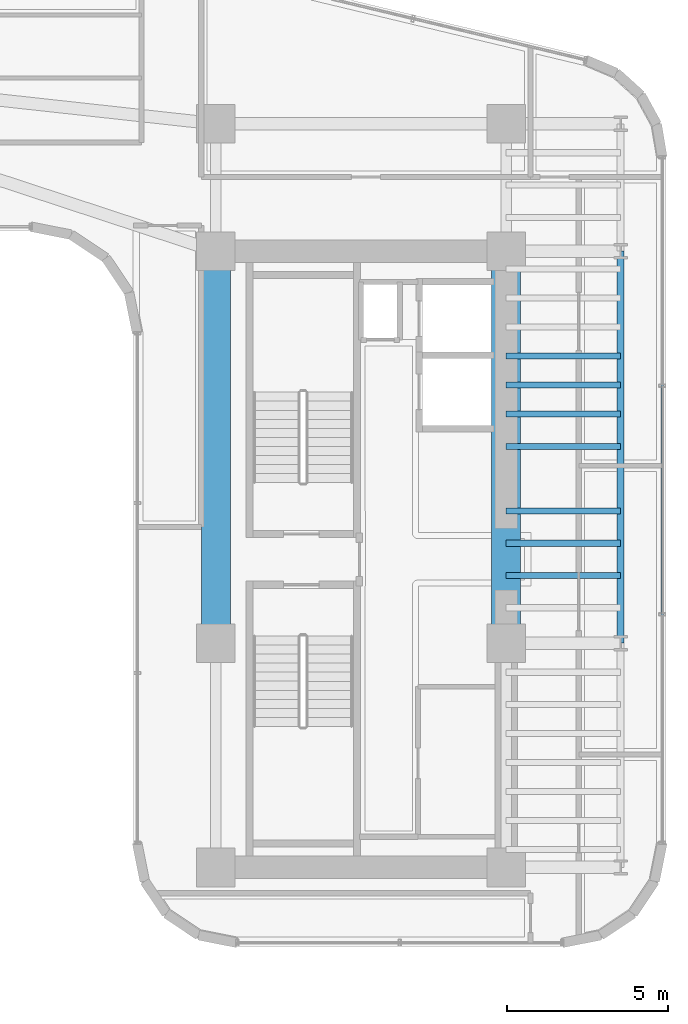
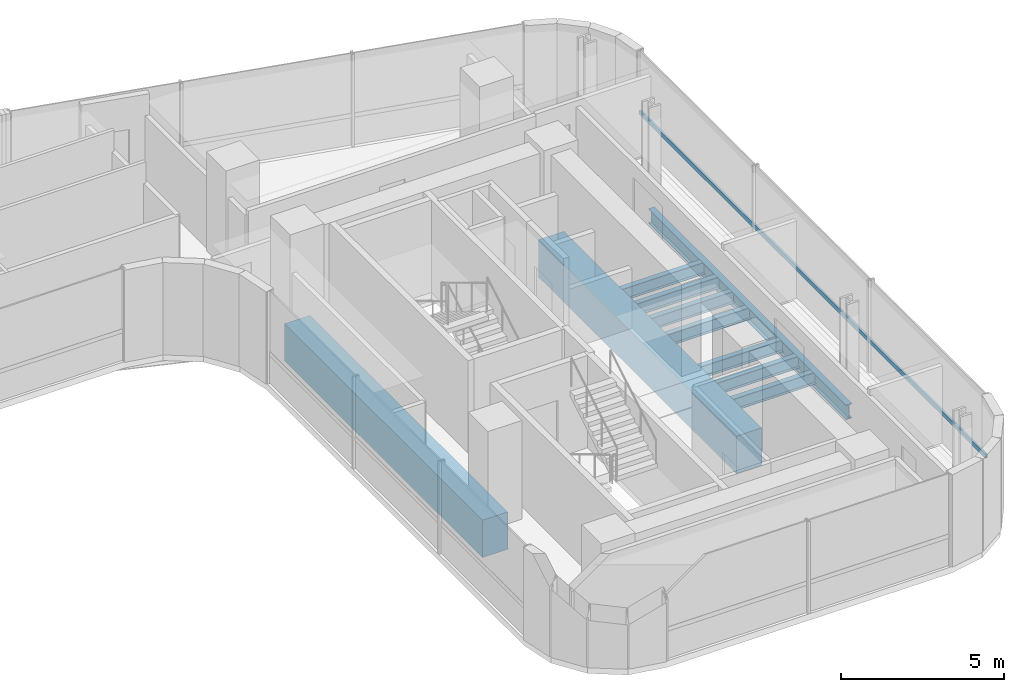
# One storey, part 18 of 37: 10 beams, 1 member, 1 element without a shape of its own.
"""IFC4 building model written with IfcOpenShell, lengths in metres."""

import ifcopenshell
import ifcopenshell.guid

model = None  # the IFC model being written
_history = None  # IfcOwnerHistory: only IFC2X3 demands one
_inside = {}  # id of a spatial element -> (the spatial element, [elements in it])
_under = {}  # id of a project, library or spatial element -> (it, [spatial elements below it])
_declared = {}  # id of a project -> (the project, [libraries it declares])
_typed = {}  # id of a type object -> (the type object, [elements of that type])
_made_of = {}  # id of a material, layer set ... -> (it, [elements and type objects made of it])


def new_model(schema):
    """Start an empty IFC model of exactly this schema.

    Asked for "IFC4X3", IfcOpenShell would pick the latest addendum, in which some entities
    have other attributes; the version numbers below select the first issue.
    IFC2X3 requires an IfcOwnerHistory on every rooted entity: one is made here for all.
    """
    global model, _history
    if schema == "IFC4X3":
        model = ifcopenshell.file(schema_version=(4, 3, 0, 0))
    else:
        model = ifcopenshell.file(schema=schema)
    _inside.clear()
    _under.clear()
    _declared.clear()
    _typed.clear()
    _made_of.clear()
    _history = None
    if model.schema == "IFC2X3":
        org = make("IfcOrganization", Name="unknown")
        user = make(
            "IfcPersonAndOrganization",
            ThePerson=make("IfcPerson", FamilyName="unknown"),
            TheOrganization=org,
        )
        app = make(
            "IfcApplication",
            ApplicationDeveloper=org,
            Version="unknown",
            ApplicationFullName="unknown",
            ApplicationIdentifier="unknown",
        )
        _history = make(
            "IfcOwnerHistory",
            OwningUser=user,
            OwningApplication=app,
            ChangeAction="ADDED",
            CreationDate=0,
        )
    return model


def make(cls, **values):
    """One entity of the class cls with the attributes given. An attribute that is None is left unset."""
    return model.create_entity(
        cls, **{name: value for name, value in values.items() if value is not None}
    )


def rooted(cls, **values):
    """An entity with a GlobalId (a new one), such as an element, a storey or a relation."""
    return make(cls, GlobalId=ifcopenshell.guid.new(), OwnerHistory=_history, **values)


def si_unit(unit_type, name, prefix=None):
    """IfcSIUnit, for example si_unit("LENGTHUNIT", "METRE", prefix="MILLI")."""
    return make("IfcSIUnit", UnitType=unit_type, Prefix=prefix, Name=name)


def assignment(units):
    """IfcUnitAssignment: the units of a project."""
    return None if units is None else make("IfcUnitAssignment", Units=units)


def point(xyz):
    """IfcCartesianPoint."""
    return None if xyz is None else make("IfcCartesianPoint", Coordinates=xyz)


def direction(xyz):
    """IfcDirection."""
    return None if xyz is None else make("IfcDirection", DirectionRatios=xyz)


def frame(location, z_axis=None, x_axis=None):
    """IfcAxis2Placement3D, a coordinate frame: its origin and axes. An axis left out is left unset."""
    return make(
        "IfcAxis2Placement3D",
        Location=point(location),
        Axis=direction(z_axis),
        RefDirection=direction(x_axis),
    )


def frame_2d(location, x_axis=None):
    """IfcAxis2Placement2D, a coordinate frame in the plane: its origin and x axis."""
    return make(
        "IfcAxis2Placement2D", Location=point(location), RefDirection=direction(x_axis)
    )


def origin():
    """The frame at (0, 0, 0) with its axes left unset."""
    return frame((0.0, 0.0, 0.0))


def origin_2d():
    """The frame at (0, 0) in the plane with its x axis left unset."""
    return frame_2d((0.0, 0.0))


def place(relative_to, where):
    """IfcLocalPlacement: puts the frame where relative to a parent placement (None: the world)."""
    return make(
        "IfcLocalPlacement", PlacementRelTo=relative_to, RelativePlacement=where
    )


def context(
    kind, dimensions, precision=None, world=None, true_north=None, identifier=None
):
    """IfcGeometricRepresentationContext, for example the 3D "Model" context."""
    return make(
        "IfcGeometricRepresentationContext",
        ContextIdentifier=identifier,
        ContextType=kind,
        CoordinateSpaceDimension=dimensions,
        Precision=precision,
        WorldCoordinateSystem=world,
        TrueNorth=true_north,
    )


def subcontext(parent, identifier, kind, view, scale=None):
    """IfcGeometricRepresentationSubContext, for example "Body" below "Model"."""
    return make(
        "IfcGeometricRepresentationSubContext",
        ContextIdentifier=identifier,
        ContextType=kind,
        ParentContext=parent,
        TargetScale=scale,
        TargetView=view,
    )


def project(units=None, contexts=None):
    """IfcProject with its units and contexts."""
    return rooted(
        "IfcProject",
        Name="project",
        RepresentationContexts=contexts,
        UnitsInContext=assignment(units),
    )


def spatial(cls, under=None, at=None, **own):
    """A site, building, storey or space (cls), placed at a placement, below another one or the project."""
    s = rooted(cls, ObjectPlacement=at, **own)
    if under is not None:
        _under.setdefault(under.id(), (under, []))[1].append(s)
    return s


def profile(cls, at=None, kind="AREA", **sizes):
    """A parametric profile (cls). Its sizes go by their IFC names, for example OverallWidth=200.0."""
    return make(cls, ProfileType=kind, Position=at, **sizes)


def rectangle(**sizes):
    """IfcRectangleProfileDef."""
    return profile("IfcRectangleProfileDef", **sizes)


def hollow_rectangle(**sizes):
    """IfcRectangleHollowProfileDef."""
    return profile("IfcRectangleHollowProfileDef", **sizes)


def i_section(**sizes):
    """IfcIShapeProfileDef."""
    return profile("IfcIShapeProfileDef", **sizes)


def extrude(swept, where, along, depth):
    """IfcExtrudedAreaSolid: the profile swept, set in the frame where, extruded along a direction by depth."""
    return make(
        "IfcExtrudedAreaSolid",
        SweptArea=swept,
        Position=where,
        ExtrudedDirection=direction(along),
        Depth=depth,
    )


def shape(context_of_items, identifier, shape_type, items):
    """IfcShapeRepresentation: the items that make up one representation, for example the "Body"."""
    return make(
        "IfcShapeRepresentation",
        ContextOfItems=context_of_items,
        RepresentationIdentifier=identifier,
        RepresentationType=shape_type,
        Items=items,
    )


def source(mapping_origin, context_of_items, identifier, shape_type, items):
    """IfcRepresentationMap: a shape defined once, which mapped items show again and again."""
    return make(
        "IfcRepresentationMap",
        MappingOrigin=mapping_origin,
        MappedRepresentation=shape(context_of_items, identifier, shape_type, items),
    )


def transform(
    local_origin,
    x_axis=None,
    y_axis=None,
    z_axis=None,
    scale=None,
    scale2=None,
    scale3=None,
    uniform=True,
):
    """IfcCartesianTransformationOperator3D, or its non-uniform kind. x_axis, y_axis, z_axis: its Axis1, 2, 3."""
    if uniform:
        return make(
            "IfcCartesianTransformationOperator3D",
            Axis1=direction(x_axis),
            Axis2=direction(y_axis),
            LocalOrigin=point(local_origin),
            Scale=scale,
            Axis3=direction(z_axis),
        )
    return make(
        "IfcCartesianTransformationOperator3DnonUniform",
        Axis1=direction(x_axis),
        Axis2=direction(y_axis),
        LocalOrigin=point(local_origin),
        Scale=scale,
        Axis3=direction(z_axis),
        Scale2=scale2,
        Scale3=scale3,
    )


def mapped(mapping_source, mapping_target):
    """IfcMappedItem: shows the shape of a source again, moved by a transform."""
    return make(
        "IfcMappedItem", MappingSource=mapping_source, MappingTarget=mapping_target
    )


def material(Name=None, Category=None):
    """IfcMaterial."""
    return make("IfcMaterial", Name=Name, Category=Category)


def material_profile(
    of_material, cross_section, Name=None, Category=None, Priority=None
):
    """IfcMaterialProfile: a cross section and its material."""
    return make(
        "IfcMaterialProfile",
        Name=Name,
        Material=of_material,
        Profile=cross_section,
        Priority=Priority,
        Category=Category,
    )


def profile_set(profiles, Name=None, composite=None):
    """IfcMaterialProfileSet."""
    return make(
        "IfcMaterialProfileSet",
        Name=Name,
        MaterialProfiles=profiles,
        CompositeProfile=composite,
    )


def made_of(thing, what):
    """Note that an element or type object is made of a material, layer set ...; save() writes the relation."""
    if what is not None:
        _made_of.setdefault(what.id(), (what, []))[1].append(thing)
    return thing


def type_object(cls, material=None, **own):
    """A type object (cls), such as IfcWallType, which elements share."""
    return made_of(rooted(cls, **own), material)


def element(
    cls,
    number,
    at=None,
    inside=None,
    cuts=None,
    type_object=None,
    material=None,
    context=None,
    identifier="Body",
    shape_type=None,
    held_by="IfcProductDefinitionShape",
    body=None,
    shapes=None,
    **own,
):
    """One element of the class cls, such as IfcWall. Its Tag is "e" and its number.

    at: its placement. inside: the storey or other place that contains it. cuts: it is an
    opening in that element (IfcRelVoidsElement). A single representation is given by context,
    identifier, shape_type and body (its items); several are given by shapes. held_by: the class
    of the entity that holds the representations. save() writes the other relations.
    """
    e = rooted(cls, Tag="e%d" % number, ObjectPlacement=at, **own)
    if body is not None:
        shapes = [shape(context, identifier, shape_type, body)]
    if shapes is not None:
        e.Representation = make(held_by, Representations=shapes)
    if inside is not None:
        _inside.setdefault(inside.id(), (inside, []))[1].append(e)
    if cuts is not None:
        rooted(
            "IfcRelVoidsElement", RelatingBuildingElement=cuts, RelatedOpeningElement=e
        )
    if type_object is not None:
        _typed.setdefault(type_object.id(), (type_object, []))[1].append(e)
    return made_of(e, material)


def aggregate(whole, parts):
    """IfcRelAggregates: a whole, such as a stair, and the parts it consists of."""
    return rooted("IfcRelAggregates", RelatingObject=whole, RelatedObjects=parts)


def save(model, path):
    """Write the relations noted so far, then the file.

    IfcRelAggregates (storeys below a building ...), IfcRelContainedInSpatialStructure (elements
    in a storey), IfcRelDefinesByType, IfcRelAssociatesMaterial and IfcRelDeclares: one each for
    every whole, place, type object, material and project.
    """
    for whole, parts in _under.values():
        aggregate(whole, parts)
    for where, things in _inside.values():
        rooted(
            "IfcRelContainedInSpatialStructure",
            RelatedElements=things,
            RelatingStructure=where,
        )
    for kind, things in _typed.values():
        rooted("IfcRelDefinesByType", RelatedObjects=things, RelatingType=kind)
    for what, things in _made_of.values():
        rooted("IfcRelAssociatesMaterial", RelatedObjects=things, RelatingMaterial=what)
    for by, libraries in _declared.values():
        rooted("IfcRelDeclares", RelatingContext=by, RelatedDefinitions=libraries)
    model.write(path)


model = new_model("IFC4")

# Units and contexts
model_context = context("Model", 3, precision=1e-05, world=origin(), true_north=direction((0.0, 1.0)))
body_context = subcontext(model_context, "Body", "Model", "MODEL_VIEW")
ifc_project = project(units=[si_unit("LENGTHUNIT", "METRE"), si_unit("AREAUNIT", "SQUARE_METRE"), si_unit("VOLUMEUNIT", "CUBIC_METRE"), si_unit("PLANEANGLEUNIT", "RADIAN"), si_unit("MASSUNIT", "GRAM", prefix="KILO")], contexts=[model_context])

# Site, building, storey
site_placement = place(None, origin())
site = spatial("IfcSite", under=ifc_project, at=site_placement, CompositionType="ELEMENT")
building_placement = place(site_placement, origin())
building = spatial("IfcBuilding", under=site, at=building_placement, Name="Valdorenza Pilgrim Sanctuary Tower", CompositionType="ELEMENT")
storey_placement = place(building_placement, frame((0.0, 0.0, 127.89990234375)))
storey = spatial("IfcBuildingStorey", under=building, at=storey_placement, Name="L32", CompositionType="ELEMENT", Elevation=127.89990234375)

# Beams
ifc_material_1 = material(Name="Concrete C60/75", Category="concrete")
ifc_material_profile_1 = material_profile(ifc_material_1, rectangle(XDim=0.89990234375, YDim=1.39990234375, at=origin_2d()), Name="RC 1400x900")
ifc_profile_set_1 = profile_set([ifc_material_profile_1], Name="Concrete C60/75")
beam_type_1 = type_object("IfcBeamType", Name="STR-BM-LNT-1400", PredefinedType="LINTEL", material=ifc_profile_set_1)
shared_shape_1 = source(origin(), body_context, "Body", "SweptSolid", [
    extrude(rectangle(XDim=0.89990234375, YDim=1.39990234375, at=origin_2d()), origin(), (0.0, 0.0, 1.0), 12.150146484375),
])
for number, where, z_axis, x_axis, name in (
    (1, (15.85009765625, -2.60009765625, -0.739990234375), (0.0, 1.0, 0.0), (-1.0, 0.0, 0.0), "L32 Core B West Coupling Lintel Girder"),
    (2, (24.85009765625, -2.60009765625, -0.739990234375), (0.0, 1.0, 0.0), (-1.0, 0.0, 0.0), "L32 Core B East Coupling Lintel Girder"),
):
    element("IfcBeam", number, at=place(storey_placement, frame(where, z_axis=z_axis, x_axis=x_axis)), inside=storey, type_object=beam_type_1, Name=name, PredefinedType="LINTEL", context=body_context, shape_type="MappedRepresentation", body=[
        mapped(shared_shape_1, transform((0.0, 0.0, 0.0), x_axis=(1.0, 0.0, 0.0), y_axis=(0.0, 1.0, 0.0), z_axis=(0.0, 0.0, 1.0), scale=1.0)),
    ])
ifc_material_2 = material(Name="Steel ASTM A992 Grade 50", Category="steel")
ifc_material_profile_2 = material_profile(ifc_material_2, i_section(OverallWidth=0.214111328125, OverallDepth=0.549072265625, WebThickness=0.0146484375, FlangeThickness=0.023681640625, at=origin_2d()), Name="W21X93")
ifc_profile_set_2 = profile_set([ifc_material_profile_2], Name="Steel ASTM A992 Grade 50")
beam_type_2 = type_object("IfcBeamType", Name="STR-BM-SPN-W21A", PredefinedType="SPANDREL", material=ifc_profile_set_2)
shared_shape_2 = source(origin(), body_context, "Body", "SweptSolid", [
    extrude(i_section(OverallWidth=0.214111328125, OverallDepth=0.549072265625, WebThickness=0.0146484375, FlangeThickness=0.023681640625, at=origin_2d()), origin(), (0.0, 0.0, 1.0), 12.150146484375),
])
beam_placement = place(storey_placement, frame((28.39990234375, -2.60009765625, -0.514404296875), z_axis=(0.0, 1.0, 0.0), x_axis=(-1.0, 0.0, 0.0)))
element("IfcBeam", 3, at=beam_placement, inside=storey, type_object=beam_type_2, Name="L32 Spandrel Beam WB-E-M0N1", PredefinedType="SPANDREL", context=body_context, shape_type="MappedRepresentation", body=[
    mapped(shared_shape_2, transform((0.0, 0.0, 0.0), x_axis=(1.0, 0.0, 0.0), y_axis=(0.0, 1.0, 0.0), z_axis=(0.0, 0.0, 1.0), scale=1.0)),
])
ifc_material_profile_3 = material_profile(ifc_material_2, i_section(OverallWidth=0.19091796875, OverallDepth=0.45703125, WebThickness=0.009033203125, FlangeThickness=0.014404296875, at=origin_2d()), Name="W18X50")
ifc_profile_set_3 = profile_set([ifc_material_profile_3], Name="Steel ASTM A992 Grade 50")
beam_type_3 = type_object("IfcBeamType", Name="STR-BM-JST-W18B", PredefinedType="JOIST", material=ifc_profile_set_3)
shared_shape_3 = source(origin(), body_context, "Body", "SweptSolid", [
    extrude(i_section(OverallWidth=0.19091796875, OverallDepth=0.45703125, WebThickness=0.009033203125, FlangeThickness=0.014404296875, at=origin_2d()), origin(), (0.0, 0.0, 1.0), 3.5498046875),
])
for number, where, z_axis, x_axis, name in (
    (4, (24.85009765625, -0.5, -0.468505859375), (1.0, 0.0, 0.0), (0.0, 1.0, 0.0), "L32 Composite Floor Joist JST-WB-9"),
    (5, (24.85009765625, 0.5, -0.468505859375), (1.0, 0.0, 0.0), (0.0, 1.0, 0.0), "L32 Composite Floor Joist JST-WB-10"),
    (6, (24.85009765625, 1.5, -0.468505859375), (1.0, 0.0, 0.0), (0.0, 1.0, 0.0), "L32 Composite Floor Joist JST-WB-11"),
    (7, (24.85009765625, 3.5, -0.468505859375), (1.0, 0.0, 0.0), (0.0, 1.0, 0.0), "L32 Composite Floor Joist JST-WB-12"),
    (8, (24.85009765625, 4.5, -0.468505859375), (1.0, 0.0, 0.0), (0.0, 1.0, 0.0), "L32 Composite Floor Joist JST-WB-13"),
    (9, (24.85009765625, 5.39990234375, -0.468505859375), (1.0, 0.0, 0.0), (0.0, 1.0, 0.0), "L32 Composite Floor Joist JST-WB-14"),
    (10, (24.85009765625, 6.300048828125, -0.468505859375), (1.0, 0.0, 0.0), (0.0, 1.0, 0.0), "L32 Composite Floor Joist JST-WB-15"),
):
    element("IfcBeam", number, at=place(storey_placement, frame(where, z_axis=z_axis, x_axis=x_axis)), inside=storey, type_object=beam_type_3, Name=name, PredefinedType="JOIST", context=body_context, shape_type="MappedRepresentation", body=[
        mapped(shared_shape_3, transform((0.0, 0.0, 0.0), x_axis=(1.0, 0.0, 0.0), y_axis=(0.0, 1.0, 0.0), z_axis=(0.0, 0.0, 1.0), scale=1.0)),
    ])

# Curtain wall, member
ifc_material_3 = material(Name="Curtain-wall IGU glazing", Category="glass")
curtain_wall_type = type_object("IfcCurtainWallType", Name="CW-SYS-03", PredefinedType="NOTDEFINED", material=ifc_material_3)
curtain_wall_placement = place(storey_placement, origin())
curtain_wall = element("IfcCurtainWall", 11, at=curtain_wall_placement, inside=storey, type_object=curtain_wall_type, Name="L32 Curtain Wall CW-L32-1-21", PredefinedType="NOTDEFINED")
ifc_material_4 = material(Name="Anodised aluminium AW-6060", Category="aluminium")
ifc_material_profile_4 = material_profile(ifc_material_4, hollow_rectangle(XDim=0.074951171875, YDim=0.159912109375, WallThickness=0.00390625, at=origin_2d()), Name="ALU-T 160x75x4")
ifc_profile_set_4 = profile_set([ifc_material_profile_4], Name="Anodised aluminium AW-6060")
member_type = type_object("IfcMemberType", Name="CW-TRN-03", PredefinedType="USERDEFINED", material=ifc_profile_set_4)
shared_shape_4 = source(origin(), body_context, "Body", "SweptSolid", [
    extrude(hollow_rectangle(XDim=0.074951171875, YDim=0.159912109375, WallThickness=0.00390625, at=origin_2d()), origin(), (0.0, 0.0, 1.0), 21.255615234375),
])
member_placement = place(storey_placement, frame((29.68994140625, 12.46630859375, 1.1201171875), z_axis=(0.0, -1.0, 0.0), x_axis=(1.0, 0.0, 0.0)))
member = element("IfcMember", 12, at=member_placement, type_object=member_type, Name="CW-L32-1-21 Transom 1", ObjectType="TRANSOM", PredefinedType="USERDEFINED", context=body_context, shape_type="MappedRepresentation", body=[
    mapped(shared_shape_4, transform((0.0, 0.0, 0.0), x_axis=(1.0, 0.0, 0.0), y_axis=(0.0, 1.0, 0.0), z_axis=(0.0, 0.0, 1.0), scale=1.0)),
])
aggregate(curtain_wall, [member])

save(model, "model.ifc")
